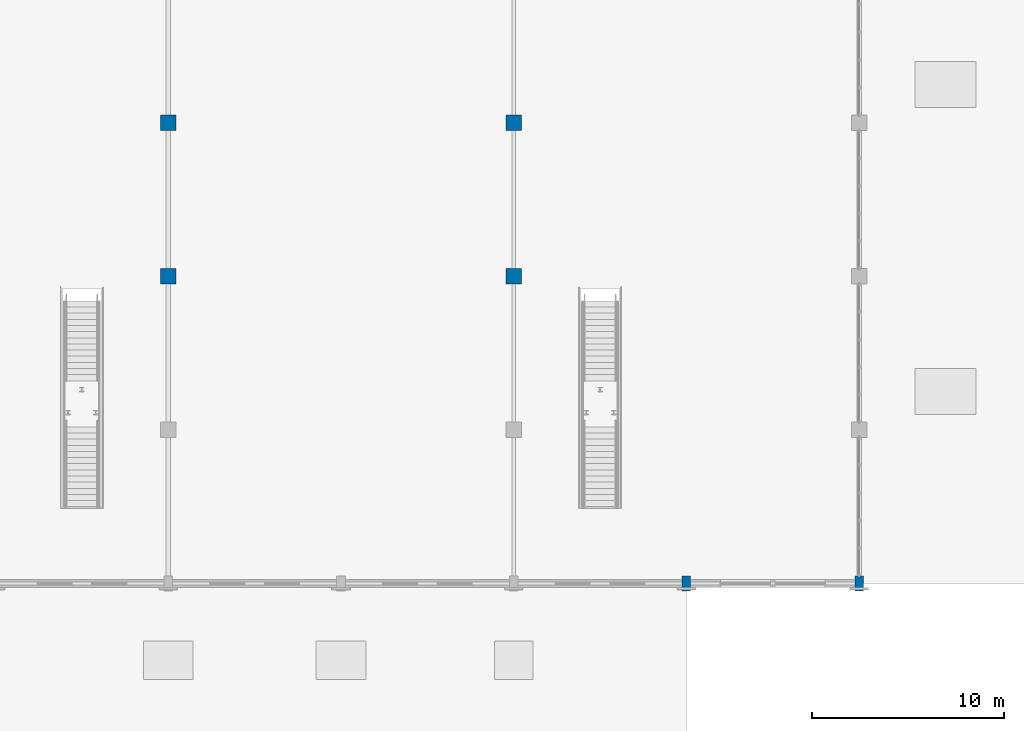
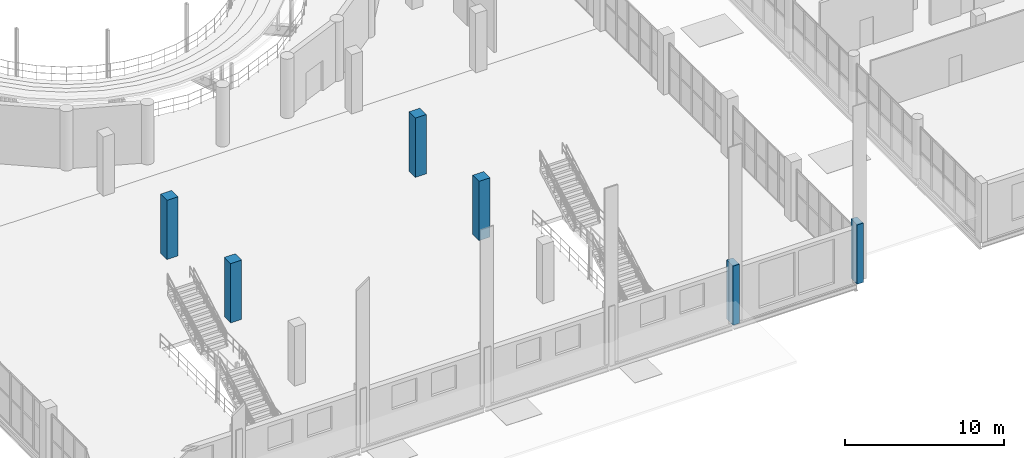
# One storey, part 6 of 93: 6 columns.
"""IFC4 building model written with IfcOpenShell, lengths in metres."""

from ifc_helpers import new_model, si_unit, direction, frame, origin, origin_2d, place, context, subcontext, project, spatial, rectangle, extrude, material, material_profile, profile_set, type_object, element, save


model = new_model("IFC4")

# Units and contexts
model_context = context("Model", 3, precision=1e-05, world=origin(), true_north=direction((0.0, 1.0)))
body_context = subcontext(model_context, "Body", "Model", "MODEL_VIEW")
ifc_project = project(units=[si_unit("LENGTHUNIT", "METRE"), si_unit("AREAUNIT", "SQUARE_METRE"), si_unit("VOLUMEUNIT", "CUBIC_METRE"), si_unit("PLANEANGLEUNIT", "RADIAN"), si_unit("MASSUNIT", "GRAM", prefix="KILO")], contexts=[model_context])

# Site, building, storey
site_placement = place(None, origin())
site = spatial("IfcSite", under=ifc_project, at=site_placement, CompositionType="ELEMENT")
building_placement = place(site_placement, origin())
building = spatial("IfcBuilding", under=site, at=building_placement, Name="Marnock Terrace Opera House", CompositionType="ELEMENT")
storey_placement = place(building_placement, frame((0.0, 0.0, 5.39990234375)))
storey = spatial("IfcBuildingStorey", under=building, at=storey_placement, Name="L01", CompositionType="ELEMENT", Elevation=5.39990234375)

# Columns
ifc_material_1 = material(Name="Concrete N40 (f'c = 40 MPa)", Category="concrete")
ifc_material_profile_1 = material_profile(ifc_material_1, rectangle(XDim=0.449951171875, YDim=0.800048828125, at=origin_2d()))
ifc_profile_set_1 = profile_set([ifc_material_profile_1], Name="Concrete N40 (f'c = 40 MPa)")
column_type_1 = type_object("IfcColumnType", Name="COL-PIL-800", PredefinedType="PILASTER", material=ifc_profile_set_1)
for number, where, z_axis, x_axis, name in (
    (1, (100.0, 8.0, 0.0), (0.0, 0.0, 1.0), (1.0, 0.0, 0.0), "L01 column at (100.0, 8.0)"),
    (2, (109.0, 8.0, 0.0), (0.0, 0.0, 1.0), (1.0, 0.0, 0.0), "L01 column at (109.0, 8.0)"),
):
    element("IfcColumn", number, at=place(storey_placement, frame(where, z_axis=z_axis, x_axis=x_axis)), inside=storey, type_object=column_type_1, Name=name, PredefinedType="PILASTER", context=body_context, shape_type="SweptSolid", body=[
        extrude(rectangle(XDim=0.449951171875, YDim=0.800048828125, at=origin_2d()), origin(), (0.0, 0.0, 1.0), 4.5400390625),
    ])
ifc_material_2 = material(Name="Concrete N50 (f'c = 50 MPa)", Category="concrete")
ifc_material_profile_2 = material_profile(ifc_material_2, rectangle(XDim=0.800048828125, YDim=0.800048828125, at=origin_2d()))
ifc_profile_set_2 = profile_set([ifc_material_profile_2], Name="Concrete N50 (f'c = 50 MPa)")
column_type_2 = type_object("IfcColumnType", Name="COL-RC800", PredefinedType="COLUMN", material=ifc_profile_set_2)
for number, where, z_axis, x_axis, name in (
    (3, (73.0, 24.0, 0.0), (0.0, 0.0, 1.0), (1.0, 0.0, 0.0), "L01 column at (73.0, 24.0)"),
    (4, (73.0, 32.0, 0.0), (0.0, 0.0, 1.0), (1.0, 0.0, 0.0), "L01 column at (73.0, 32.0)"),
    (5, (91.0, 24.0, 0.0), (0.0, 0.0, 1.0), (1.0, 0.0, 0.0), "L01 column at (91.0, 24.0)"),
    (6, (91.0, 32.0, 0.0), (0.0, 0.0, 1.0), (1.0, 0.0, 0.0), "L01 column at (91.0, 32.0)"),
):
    element("IfcColumn", number, at=place(storey_placement, frame(where, z_axis=z_axis, x_axis=x_axis)), inside=storey, type_object=column_type_2, Name=name, PredefinedType="COLUMN", context=body_context, shape_type="SweptSolid", body=[
        extrude(rectangle(XDim=0.800048828125, YDim=0.800048828125, at=origin_2d()), origin(), (0.0, 0.0, 1.0), 4.5400390625),
    ])

save(model, "model.ifc")
